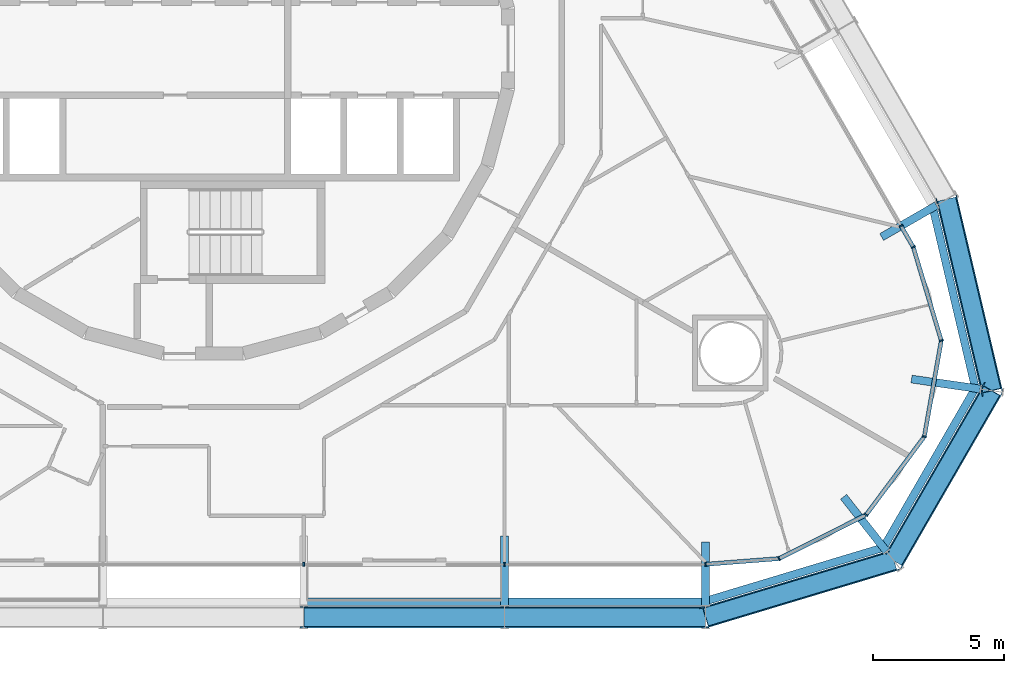
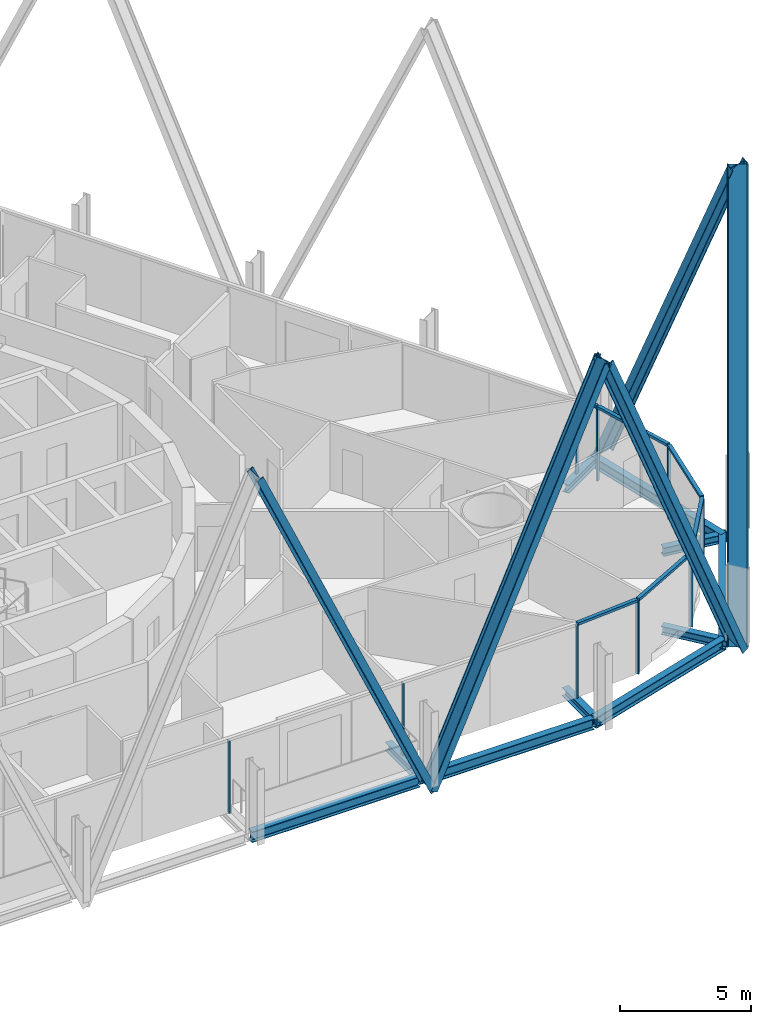
# One storey, part 7 of 22: 20 members, 10 beams, 3 elements without a shape of their own.
"""IFC4 building model written with IfcOpenShell, lengths in metres."""

from ifc_helpers import new_model, si_unit, direction, frame, origin, origin_2d, place, context, subcontext, project, spatial, rectangle, i_section, extrude, material, layer, layer_set, material_profile, profile_set, type_object, element, aggregate, save


model = new_model("IFC4")

# Units and contexts
model_context = context("Model", 3, precision=1e-05, world=origin(), true_north=direction((0.0, 1.0)))
body_context = subcontext(model_context, "Body", "Model", "MODEL_VIEW")
ifc_project = project(units=[si_unit("LENGTHUNIT", "METRE"), si_unit("AREAUNIT", "SQUARE_METRE"), si_unit("VOLUMEUNIT", "CUBIC_METRE"), si_unit("PLANEANGLEUNIT", "RADIAN"), si_unit("MASSUNIT", "GRAM", prefix="KILO")], contexts=[model_context])

# Site, building, storey
site_placement = place(None, origin())
site = spatial("IfcSite", under=ifc_project, at=site_placement, CompositionType="ELEMENT")
building_placement = place(site_placement, origin())
building = spatial("IfcBuilding", under=site, at=building_placement, Name="Spindle Arch Residences", CompositionType="ELEMENT")
storey_placement = place(building_placement, frame((0.0, 0.0, 52.39990234375)))
storey = spatial("IfcBuildingStorey", under=building, at=storey_placement, Name="L11", CompositionType="ELEMENT", Elevation=52.39990234375)

# Curtain wall, members
ifc_material_1 = material(Name="Aluminium bronze unitised frame with tinted glass", Category="aluminium")
ifc_layer_1 = layer(ifc_material_1, 0.159912109375)
ifc_layer_set_1 = layer_set([ifc_layer_1], Name="CW-D corner wall on the fillet arcs")
curtain_wall_type_1 = type_object("IfcCurtainWallType", Name="CW-D corner wall on the fillet arcs", PredefinedType="NOTDEFINED", material=ifc_layer_set_1)
curtain_wall_1_placement = place(storey_placement, origin())
curtain_wall_1 = element("IfcCurtainWall", 1, at=curtain_wall_1_placement, inside=storey, type_object=curtain_wall_type_1, Name="CW-D L11 run 1", PredefinedType="NOTDEFINED")
ifc_material_2 = material(Name="Aluminium bronze anodised mullion", Category="aluminium")
ifc_material_profile_1 = material_profile(ifc_material_2, rectangle(XDim=0.159912109375, YDim=0.06005859375, at=origin_2d()), Name="MU 60x160")
ifc_profile_set_1 = profile_set([ifc_material_profile_1], Name="Aluminium bronze anodised mullion")
member_type_1 = type_object("IfcMemberType", Name="Bronze mullion 60x160", PredefinedType="MULLION", material=ifc_profile_set_1)
member_1_placement = place(storey_placement, frame((19.2001953125, -19.7099609375, -0.3798828125), z_axis=(0.0, 0.0, 1.0), x_axis=(-0.077364085451, 0.997002907861, 0.0)))
member_1 = element("IfcMember", 2, at=member_1_placement, type_object=member_type_1, Name="CW-D mullion 00", PredefinedType="MULLION", context=body_context, shape_type="SweptSolid", body=[
    extrude(rectangle(XDim=0.159912109375, YDim=0.06005859375, at=origin_2d()), origin(), (0.0, 0.0, 1.0), 3.3798828125),
])
member_2_placement = place(storey_placement, frame((22.007080078125, -19.4921875, -0.3798828125), z_axis=(0.0, 0.0, 1.0), x_axis=(-0.448799176213, 0.893632642326, 0.0)))
member_2 = element("IfcMember", 3, at=member_2_placement, type_object=member_type_1, Name="CW-D mullion 01", PredefinedType="MULLION", context=body_context, shape_type="SweptSolid", body=[
    extrude(rectangle(XDim=0.159912109375, YDim=0.06005859375, at=origin_2d()), origin(), (0.0, 0.0, 1.0), 3.3798828125),
])
member_3_placement = place(storey_placement, frame((25.33740234375, -17.819580078125, -0.3798828125), z_axis=(0.0, 0.0, 1.0), x_axis=(-0.802123189687, 0.597158595823, 0.0)))
member_3 = element("IfcMember", 4, at=member_3_placement, type_object=member_type_1, Name="CW-D mullion 02", PredefinedType="MULLION", context=body_context, shape_type="SweptSolid", body=[
    extrude(rectangle(XDim=0.159912109375, YDim=0.06005859375, at=origin_2d()), origin(), (0.0, 0.0, 1.0), 3.3798828125),
])
member_4_placement = place(storey_placement, frame((27.562744140625, -14.830322265625, -0.3798828125), z_axis=(0.0, 0.0, 1.0), x_axis=(-0.984807752421, 0.173648181019, 0.0)))
member_4 = element("IfcMember", 5, at=member_4_placement, type_object=member_type_1, Name="CW-D mullion 03", PredefinedType="MULLION", context=body_context, shape_type="SweptSolid", body=[
    extrude(rectangle(XDim=0.159912109375, YDim=0.06005859375, at=origin_2d()), origin(), (0.0, 0.0, 1.0), 3.3798828125),
])
member_5_placement = place(storey_placement, frame((28.2099609375, -11.16015625, -0.3798828125), z_axis=(0.0, 0.0, 1.0), x_axis=(-0.957989512975, -0.28680323051, 0.0)))
member_5 = element("IfcMember", 6, at=member_5_placement, type_object=member_type_1, Name="CW-D mullion 04", PredefinedType="MULLION", context=body_context, shape_type="SweptSolid", body=[
    extrude(rectangle(XDim=0.159912109375, YDim=0.06005859375, at=origin_2d()), origin(), (0.0, 0.0, 1.0), 3.3798828125),
])
member_6_placement = place(storey_placement, frame((27.14111328125, -7.58984375, -0.3798828125), z_axis=(0.0, 0.0, 1.0), x_axis=(-0.866025403784, -0.5, 0.0)))
member_6 = element("IfcMember", 7, at=member_6_placement, type_object=member_type_1, Name="CW-D mullion 05", PredefinedType="MULLION", context=body_context, shape_type="SweptSolid", body=[
    extrude(rectangle(XDim=0.159912109375, YDim=0.06005859375, at=origin_2d()), origin(), (0.0, 0.0, 1.0), 3.3798828125),
])

# Curtain wall, member
ifc_material_3 = material(Name="Aluminium bronze unitised frame with tinted glass", Category="aluminium")
ifc_layer_2 = layer(ifc_material_3, 0.159912109375)
ifc_layer_set_2 = layer_set([ifc_layer_2], Name="CW-C typical residential unitised wall")
curtain_wall_type_2 = type_object("IfcCurtainWallType", Name="CW-C typical residential unitised wall", PredefinedType="NOTDEFINED", material=ifc_layer_set_2)
curtain_wall_2_placement = place(storey_placement, origin())
curtain_wall_2 = element("IfcCurtainWall", 8, at=curtain_wall_2_placement, inside=storey, type_object=curtain_wall_type_2, Name="CW-C L11 run 2", PredefinedType="NOTDEFINED")
member_7_placement = place(storey_placement, frame((26.66943359375, -6.77294921875, -0.3798828125), z_axis=(0.0, 0.0, 1.0), x_axis=(-0.866025403784, -0.5, 0.0)))
member_7 = element("IfcMember", 9, at=member_7_placement, type_object=member_type_1, Name="CW-C mullion 05", PredefinedType="MULLION", context=body_context, shape_type="SweptSolid", body=[
    extrude(rectangle(XDim=0.159912109375, YDim=0.06005859375, at=origin_2d()), origin(), (0.0, 0.0, 1.0), 3.3798828125),
])
aggregate(curtain_wall_2, [member_7])

# Curtain wall, members
curtain_wall_3_placement = place(storey_placement, origin())
curtain_wall_3 = element("IfcCurtainWall", 10, at=curtain_wall_3_placement, inside=storey, type_object=curtain_wall_type_2, Name="CW-C L11 run 6", PredefinedType="NOTDEFINED")
member_8_placement = place(storey_placement, frame((3.840087890625, -19.7099609375, -0.3798828125), z_axis=(0.0, 0.0, 1.0), x_axis=(0.0, 1.0, 0.0)))
member_8 = element("IfcMember", 11, at=member_8_placement, type_object=member_type_1, Name="CW-C mullion 00", PredefinedType="MULLION", context=body_context, shape_type="SweptSolid", body=[
    extrude(rectangle(XDim=0.159912109375, YDim=0.06005859375, at=origin_2d()), origin(), (0.0, 0.0, 1.0), 3.3798828125),
])
member_9_placement = place(storey_placement, frame((11.52001953125, -19.7099609375, -0.3798828125), z_axis=(0.0, 0.0, 1.0), x_axis=(0.0, 1.0, 0.0)))
member_9 = element("IfcMember", 12, at=member_9_placement, type_object=member_type_1, Name="CW-C mullion 01", PredefinedType="MULLION", context=body_context, shape_type="SweptSolid", body=[
    extrude(rectangle(XDim=0.159912109375, YDim=0.06005859375, at=origin_2d()), origin(), (0.0, 0.0, 1.0), 3.3798828125),
])
aggregate(curtain_wall_3, [member_8, member_9])

# Member
ifc_material_4 = material(Name="Aluminium bronze anodised transom", Category="aluminium")
ifc_material_profile_2 = material_profile(ifc_material_4, rectangle(XDim=0.159912109375, YDim=0.1201171875, at=origin_2d()), Name="TR 120x160")
ifc_profile_set_2 = profile_set([ifc_material_profile_2], Name="Aluminium bronze anodised transom")
member_type_2 = type_object("IfcMemberType", Name="Bronze transom 120x160", PredefinedType="USERDEFINED", material=ifc_profile_set_2)
member_10_placement = place(storey_placement, frame((19.22998046875, -19.70751953125, 3.06005859375), z_axis=(0.997003710875, 0.077353736189, 0.0), x_axis=(-0.077353736189, 0.997003710875, 0.0)))
member_10 = element("IfcMember", 13, at=member_10_placement, type_object=member_type_2, Name="CW-D transom 00", ObjectType="TRANSOM", PredefinedType="USERDEFINED", context=body_context, shape_type="SweptSolid", body=[
    extrude(rectangle(XDim=0.159912109375, YDim=0.1201171875, at=origin_2d()), origin(), (0.0, 0.0, 1.0), 2.75537109375),
])

member_11_placement = place(storey_placement, frame((22.03369140625, -19.478759765625, 3.06005859375), z_axis=(0.893626812559, 0.448810784046, 0.0), x_axis=(-0.448810784046, 0.893626812559, 0.0)))
member_11 = element("IfcMember", 14, at=member_11_placement, type_object=member_type_2, Name="CW-D transom 01", ObjectType="TRANSOM", PredefinedType="USERDEFINED", context=body_context, shape_type="SweptSolid", body=[
    extrude(rectangle(XDim=0.159912109375, YDim=0.1201171875, at=origin_2d()), origin(), (0.0, 0.0, 1.0), 3.6669921875),
])

member_12_placement = place(storey_placement, frame((25.355224609375, -17.79541015625, 3.06005859375), z_axis=(0.597173190998, 0.802112323776, 0.0), x_axis=(-0.802112323776, 0.597173190998, 0.0)))
member_12 = element("IfcMember", 15, at=member_12_placement, type_object=member_type_2, Name="CW-D transom 02", ObjectType="TRANSOM", PredefinedType="USERDEFINED", context=body_context, shape_type="SweptSolid", body=[
    extrude(rectangle(XDim=0.159912109375, YDim=0.1201171875, at=origin_2d()), origin(), (0.0, 0.0, 1.0), 3.666748046875),
])

member_13_placement = place(storey_placement, frame((27.56787109375, -14.80078125, 3.06005859375), z_axis=(0.173709368694, 0.984796961423, 0.0), x_axis=(-0.984796961423, 0.173709368694, 0.0)))
member_13 = element("IfcMember", 16, at=member_13_placement, type_object=member_type_2, Name="CW-D transom 03", ObjectType="TRANSOM", PredefinedType="USERDEFINED", context=body_context, shape_type="SweptSolid", body=[
    extrude(rectangle(XDim=0.159912109375, YDim=0.1201171875, at=origin_2d()), origin(), (0.0, 0.0, 1.0), 3.666748046875),
])

member_14_placement = place(storey_placement, frame((28.201416015625, -11.13134765625, 3.06005859375), z_axis=(-0.286834736274, 0.957980080203, 0.0), x_axis=(-0.957980080203, -0.286834736274, 0.0)))
member_14 = element("IfcMember", 17, at=member_14_placement, type_object=member_type_2, Name="CW-D transom 04", ObjectType="TRANSOM", PredefinedType="USERDEFINED", context=body_context, shape_type="SweptSolid", body=[
    extrude(rectangle(XDim=0.159912109375, YDim=0.1201171875, at=origin_2d()), origin(), (0.0, 0.0, 1.0), 3.666748046875),
])

member_15_placement = place(storey_placement, frame((27.1259765625, -7.56396484375, 3.06005859375), z_axis=(-0.499913830031, 0.866075148324, 0.0), x_axis=(-0.866075148324, -0.499913830031, 0.0)))
member_15 = element("IfcMember", 18, at=member_15_placement, type_object=member_type_2, Name="CW-D transom 05", ObjectType="TRANSOM", PredefinedType="USERDEFINED", context=body_context, shape_type="SweptSolid", body=[
    extrude(rectangle(XDim=0.159912109375, YDim=0.1201171875, at=origin_2d()), origin(), (0.0, 0.0, 1.0), 0.883544921875),
])

aggregate(curtain_wall_1, [member_1, member_10, member_2, member_11, member_3, member_12, member_4, member_13, member_5, member_14, member_6, member_15])

# Members
ifc_material_5 = material(Name="Steel S460ML, intumescent coating R 240", Category="steel")
ifc_material_profile_3 = material_profile(ifc_material_5, i_section(OverallWidth=0.302978515625, OverallDepth=0.81396484375, WebThickness=0.02099609375, FlangeThickness=0.0400390625, FilletRadius=0.030029296875, at=origin_2d()), Name="HEM 800")
ifc_profile_set_3 = profile_set([ifc_material_profile_3], Name="Steel S460ML, intumescent coating R 240")
member_type_3 = type_object("IfcMemberType", Name="Diagrid diagonal HEM 800", PredefinedType="BRACE", material=ifc_profile_set_3)
for number, where, z_axis, x_axis, name in (
    (19, (11.52001953125, -21.72998046875, -0.6298828125), (-0.406273871617, 0.0, 0.913751356356), (0.913751356356, 0.0, 0.406273871617), "Diagrid diagonal 1.2.1"),
    (20, (11.52001953125, -21.72998046875, -0.6298828125), (0.40628465498, 0.0, 0.91374656176), (-0.91374656176, 0.0, 0.40628465498), "Diagrid diagonal 1.2.2"),
):
    element("IfcMember", number, at=place(storey_placement, frame(where, z_axis=z_axis, x_axis=x_axis)), inside=storey, type_object=member_type_3, Name=name, PredefinedType="BRACE", context=body_context, shape_type="SweptSolid", body=[
        extrude(i_section(OverallWidth=0.302978515625, OverallDepth=0.81396484375, WebThickness=0.02099609375, FlangeThickness=0.0400390625, FilletRadius=0.030029296875, at=origin_2d()), origin(), (0.0, 0.0, 1.0), 18.9033203125),
    ])
member_16_placement = place(storey_placement, frame((26.3916015625, -19.565185546875, -0.6298828125), z_axis=(-0.38181067774, -0.114934657778, 0.917066317561), x_axis=(0.878142040808, 0.264342934406, 0.398734710296)))
element("IfcMember", 21, at=member_16_placement, inside=storey, type_object=member_type_3, Name="Diagrid diagonal 1.2.3", PredefinedType="BRACE", context=body_context, shape_type="SweptSolid", body=[
    extrude(i_section(OverallWidth=0.302978515625, OverallDepth=0.81396484375, WebThickness=0.02099609375, FlangeThickness=0.0400390625, FilletRadius=0.030029296875, at=origin_2d()), origin(), (0.0, 0.0, 1.0), 18.8349609375),
])
member_17_placement = place(storey_placement, frame((26.3916015625, -19.565185546875, -0.6298828125), z_axis=(0.199064898335, 0.344775269434, 0.917334824281), x_axis=(-0.45868262611, -0.794426477619, 0.398116591167)))
element("IfcMember", 22, at=member_17_placement, inside=storey, type_object=member_type_3, Name="Diagrid diagonal 1.2.4", PredefinedType="BRACE", context=body_context, shape_type="SweptSolid", body=[
    extrude(i_section(OverallWidth=0.302978515625, OverallDepth=0.81396484375, WebThickness=0.02099609375, FlangeThickness=0.0400390625, FilletRadius=0.030029296875, at=origin_2d()), origin(), (0.0, 0.0, 1.0), 18.82958984375),
])
member_18_placement = place(storey_placement, frame((28.418701171875, -5.762939453125, -0.6298828125), z_axis=(0.091382533041, -0.388123005226, 0.917065845765), x_axis=(-0.210173756454, 0.892657133264, 0.398735795397)))
element("IfcMember", 23, at=member_18_placement, inside=storey, type_object=member_type_3, Name="Diagrid diagonal 1.2.5", PredefinedType="BRACE", context=body_context, shape_type="SweptSolid", body=[
    extrude(i_section(OverallWidth=0.302978515625, OverallDepth=0.81396484375, WebThickness=0.02099609375, FlangeThickness=0.0400390625, FilletRadius=0.030029296875, at=origin_2d()), origin(), (0.0, 0.0, 1.0), 18.8349609375),
])

# Beams
ifc_material_6 = material(Name="Steel S460ML, intumescent coating R 120", Category="steel")
ifc_material_profile_4 = material_profile(ifc_material_6, i_section(OverallWidth=0.300048828125, OverallDepth=0.5, WebThickness=0.014404296875, FlangeThickness=0.028076171875, FilletRadius=0.027099609375, at=origin_2d()), Name="HEB 500")
ifc_profile_set_4 = profile_set([ifc_material_profile_4], Name="Steel S460ML, intumescent coating R 120")
beam_type_1 = type_object("IfcBeamType", Name="Exoskeleton edge beam HEB 500", PredefinedType="BEAM", material=ifc_profile_set_4)
for number, where, z_axis, x_axis, name in (
    (24, (3.969970703125, -21.142822265625, -0.6298828125), (1.0, 0.0, 0.0), (0.0, 1.0, 0.0), "Exoskeleton edge beam 1"),
    (25, (11.650146484375, -21.142822265625, -0.6298828125), (1.0, 0.0, 0.0), (0.0, 1.0, 0.0), "Exoskeleton edge beam 2"),
):
    element("IfcBeam", number, at=place(storey_placement, frame(where, z_axis=z_axis, x_axis=x_axis)), inside=storey, type_object=beam_type_1, Name=name, PredefinedType="BEAM", context=body_context, shape_type="SweptSolid", body=[
        extrude(i_section(OverallWidth=0.300048828125, OverallDepth=0.5, WebThickness=0.014404296875, FlangeThickness=0.028076171875, FilletRadius=0.027099609375, at=origin_2d()), origin(), (0.0, 0.0, 1.0), 7.420166015625),
    ])
beam_1_placement = place(storey_placement, frame((19.132568359375, -21.1376953125, -0.6298828125), z_axis=(0.95756732363, 0.288209681856, 0.0), x_axis=(-0.288209681856, 0.95756732363, 0.0)))
element("IfcBeam", 26, at=beam_1_placement, inside=storey, type_object=beam_type_1, Name="Exoskeleton edge beam 3", PredefinedType="BEAM", context=body_context, shape_type="SweptSolid", body=[
    extrude(i_section(OverallWidth=0.300048828125, OverallDepth=0.5, WebThickness=0.014404296875, FlangeThickness=0.028076171875, FilletRadius=0.027099609375, at=origin_2d()), origin(), (0.0, 0.0, 1.0), 7.250244140625),
])
beam_2_placement = place(storey_placement, frame((25.9482421875, -19.1591796875, -0.6298828125), z_axis=(0.499999897272, 0.866025463095, 0.0), x_axis=(-0.866025463095, 0.499999897272, 0.0)))
element("IfcBeam", 27, at=beam_2_placement, inside=storey, type_object=beam_type_1, Name="Exoskeleton edge beam 4", PredefinedType="BEAM", context=body_context, shape_type="SweptSolid", body=[
    extrude(i_section(OverallWidth=0.300048828125, OverallDepth=0.5, WebThickness=0.014404296875, FlangeThickness=0.028076171875, FilletRadius=0.027099609375, at=origin_2d()), origin(), (0.0, 0.0, 1.0), 7.236328125),
])
beam_3_placement = place(storey_placement, frame((29.53369140625, -13.0576171875, -0.6298828125), z_axis=(-0.229185730541, 0.973382710406, 0.0), x_axis=(-0.973382710406, -0.229185730541, 0.0)))
element("IfcBeam", 28, at=beam_3_placement, inside=storey, type_object=beam_type_1, Name="Exoskeleton edge beam 5", PredefinedType="BEAM", context=body_context, shape_type="SweptSolid", body=[
    extrude(i_section(OverallWidth=0.300048828125, OverallDepth=0.5, WebThickness=0.014404296875, FlangeThickness=0.028076171875, FilletRadius=0.027099609375, at=origin_2d()), origin(), (0.0, 0.0, 1.0), 7.25),
])
ifc_material_7 = material(Name="Steel S460ML, intumescent coating R 120", Category="steel")
ifc_material_profile_5 = material_profile(ifc_material_7, i_section(OverallWidth=0.300048828125, OverallDepth=0.389892578125, WebThickness=0.010986328125, FlangeThickness=0.01904296875, FilletRadius=0.027099609375, at=origin_2d()), Name="HEA 400")
ifc_profile_set_5 = profile_set([ifc_material_profile_5], Name="Steel S460ML, intumescent coating R 120")
beam_type_2 = type_object("IfcBeamType", Name="Floor outrigger HEA 400", PredefinedType="BEAM", material=ifc_profile_set_5)
beam_4_placement = place(storey_placement, frame((11.52001953125, -21.27978515625, -0.574951171875), z_axis=(0.0, 1.0, 0.0), x_axis=(-1.0, 0.0, 0.0)))
element("IfcBeam", 29, at=beam_4_placement, inside=storey, type_object=beam_type_2, Name="Floor outrigger 2", PredefinedType="BEAM", context=body_context, shape_type="SweptSolid", body=[
    extrude(i_section(OverallWidth=0.300048828125, OverallDepth=0.389892578125, WebThickness=0.010986328125, FlangeThickness=0.01904296875, FilletRadius=0.027099609375, at=origin_2d()), origin(), (0.0, 0.0, 1.0), 2.64990234375),
])
beam_5_placement = place(storey_placement, frame((19.2001953125, -21.27978515625, -0.574951171875), z_axis=(0.0, 1.0, 0.0), x_axis=(-1.0, 0.0, 0.0)))
element("IfcBeam", 30, at=beam_5_placement, inside=storey, type_object=beam_type_2, Name="Floor outrigger 3", PredefinedType="BEAM", context=body_context, shape_type="SweptSolid", body=[
    extrude(i_section(OverallWidth=0.300048828125, OverallDepth=0.389892578125, WebThickness=0.010986328125, FlangeThickness=0.01904296875, FilletRadius=0.027099609375, at=origin_2d()), origin(), (0.0, 0.0, 1.0), 2.42333984375),
])
for number, where, z_axis, x_axis, name in (
    (31, (26.11328125, -19.211669921875, -0.574951171875), (-0.618586231558, 0.785716917297, 0.0), (-0.785716917297, -0.618586231558, 0.0), "Floor outrigger 4"),
    (32, (29.694580078125, -13.009033203125, -0.574951171875), (-0.989738348309, 0.142891573883, 0.0), (-0.142891573883, -0.989738348309, 0.0), "Floor outrigger 5"),
):
    element("IfcBeam", number, at=place(storey_placement, frame(where, z_axis=z_axis, x_axis=x_axis)), inside=storey, type_object=beam_type_2, Name=name, PredefinedType="BEAM", context=body_context, shape_type="SweptSolid", body=[
        extrude(i_section(OverallWidth=0.300048828125, OverallDepth=0.389892578125, WebThickness=0.010986328125, FlangeThickness=0.01904296875, FilletRadius=0.027099609375, at=origin_2d()), origin(), (0.0, 0.0, 1.0), 2.64990234375),
    ])
beam_6_placement = place(storey_placement, frame((28.029052734375, -5.98779296875, -0.574951171875), z_axis=(-0.866002732682, -0.500039265445, 0.0), x_axis=(0.500039265445, -0.866002732682, 0.0)))
element("IfcBeam", 33, at=beam_6_placement, inside=storey, type_object=beam_type_2, Name="Floor outrigger 6", PredefinedType="BEAM", context=body_context, shape_type="SweptSolid", body=[
    extrude(i_section(OverallWidth=0.300048828125, OverallDepth=0.389892578125, WebThickness=0.010986328125, FlangeThickness=0.01904296875, FilletRadius=0.027099609375, at=origin_2d()), origin(), (0.0, 0.0, 1.0), 2.423583984375),
])

save(model, "model.ifc")
